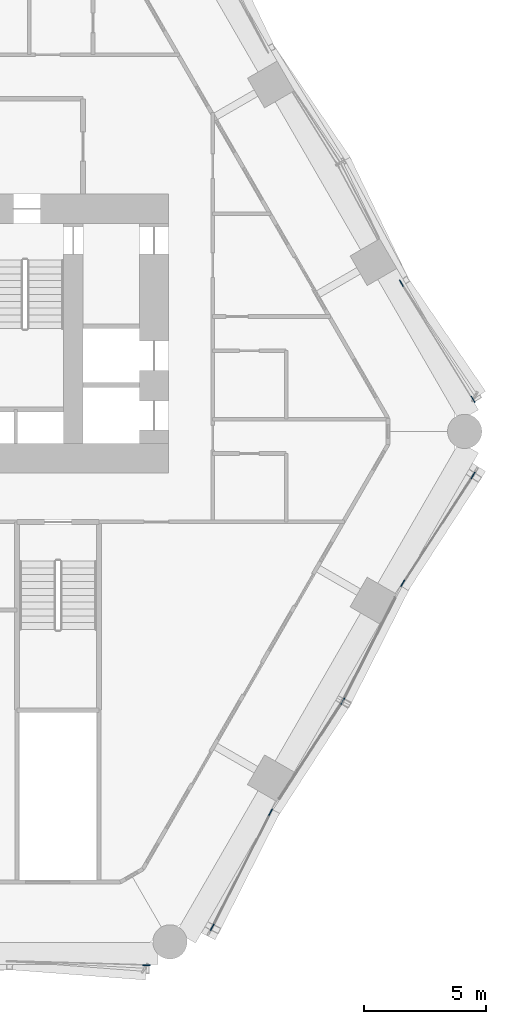
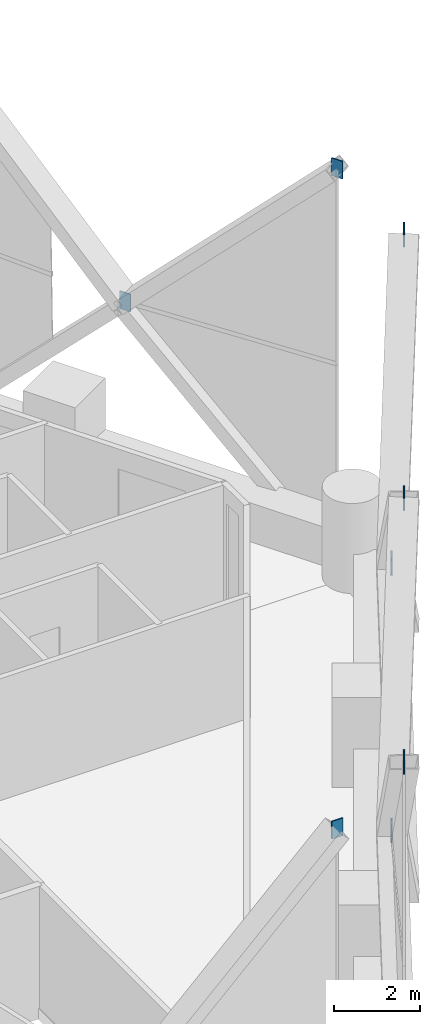
# One storey, part 19 of 22: 8 discrete accessories.
"""IFC4 building model written with IfcOpenShell, lengths in metres."""

from ifc_helpers import new_model, si_unit, direction, frame, origin, origin_2d, place, context, subcontext, project, spatial, rectangle, extrude, material, layer, layer_set, type_object, element, save


model = new_model("IFC4")

# Units and contexts
model_context = context("Model", 3, precision=1e-05, world=origin(), true_north=direction((0.0, 1.0)))
body_context = subcontext(model_context, "Body", "Model", "MODEL_VIEW")
ifc_project = project(units=[si_unit("LENGTHUNIT", "METRE"), si_unit("AREAUNIT", "SQUARE_METRE"), si_unit("VOLUMEUNIT", "CUBIC_METRE"), si_unit("PLANEANGLEUNIT", "RADIAN"), si_unit("MASSUNIT", "GRAM", prefix="KILO")], contexts=[model_context])

# Site, building, storey
site_placement = place(None, origin())
site = spatial("IfcSite", under=ifc_project, at=site_placement, CompositionType="ELEMENT")
building_placement = place(site_placement, origin())
building = spatial("IfcBuilding", under=site, at=building_placement, Name="Ostrander Bayou Hotel Tower", CompositionType="ELEMENT")
storey_placement = place(building_placement, frame((0.0, 0.0, 35.5)))
storey = spatial("IfcBuildingStorey", under=building, at=storey_placement, Name="L08", CompositionType="ELEMENT", Elevation=35.5)

# Discrete accessories
ifc_material = material(Name="Steel ASTM A572 Gr 50", Category="steel")
ifc_layer = layer(ifc_material, 0.030029296875)
ifc_layer_set = layer_set([ifc_layer], Name="GP1 gusset plate 30 mm")
discrete_accessory_type = type_object("IfcDiscreteAccessoryType", Name="GP1 gusset plate 30 mm", PredefinedType="BRACKET", material=ifc_layer_set)
for number, where, z_axis, x_axis, name in (
    (1, (11.09228515625, -21.824462890625, 10.39990234375), (0.0, 0.0, 1.0), (1.0, 0.0, 0.0), "GP1 gusset plate lat 80"),
    (2, (16.16259765625, -15.572021484375, 4.77490234375), (0.0, 0.0, 1.0), (0.5, 0.866025403784, 0.0), "GP1 gusset plate lat 81"),
    (3, (13.779541015625, -20.27294921875, 10.39990234375), (0.0, 0.0, 1.0), (0.5, 0.866025403784, 0.0), "GP1 gusset plate lat 82"),
    (4, (19.11328125, -11.034912109375, 10.39990234375), (0.0, 0.0, 1.0), (0.5, 0.866025403784, 0.0), "GP1 gusset plate lat 83"),
    (5, (21.56689453125, -6.211181640625, 4.77490234375), (0.0, 0.0, 1.0), (0.5, 0.866025403784, 0.0), "GP1 gusset plate lat 84"),
    (6, (24.44677734375, -1.797119140625, 10.39990234375), (0.0, 0.0, 1.0), (0.5, 0.866025403784, 0.0), "GP1 gusset plate lat 85"),
    (7, (21.513671875, 6.0576171875, 4.77490234375), (0.0, 0.0, 1.0), (-0.5, 0.866025403784, 0.0), "GP1 gusset plate lat 86"),
    (8, (24.44677734375, 1.305908203125, 10.39990234375), (0.0, 0.0, 1.0), (-0.5, 0.866025403784, 0.0), "GP1 gusset plate lat 87"),
):
    element("IfcDiscreteAccessory", number, at=place(storey_placement, frame(where, z_axis=z_axis, x_axis=x_axis)), inside=storey, type_object=discrete_accessory_type, Name=name, PredefinedType="BRACKET", context=body_context, shape_type="SweptSolid", body=[
        extrude(rectangle(XDim=0.300048828125, YDim=0.030029296875, at=origin_2d()), origin(), (0.0, 0.0, 1.0), 0.5),
    ])

save(model, "model.ifc")
